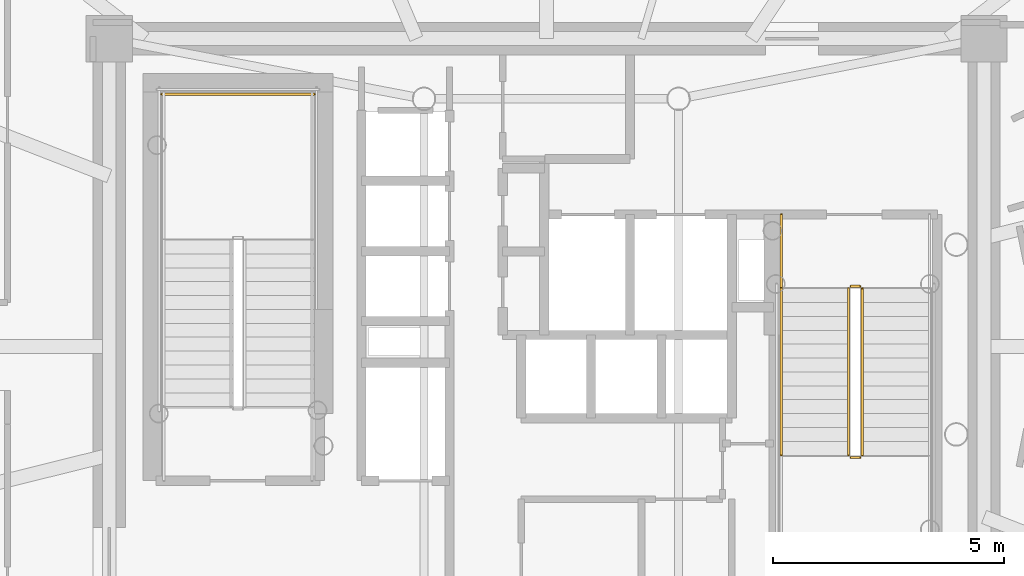
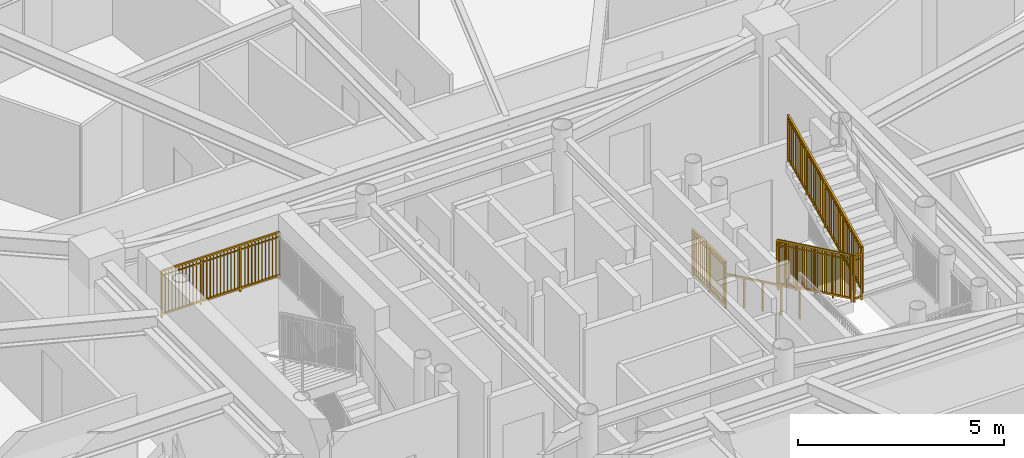
# One storey, part 17 of 19: 7 railings.
"""IFC4 building model written with IfcOpenShell, lengths in metres."""

import ifcopenshell
import ifcopenshell.guid

model = None  # the IFC model being written
_history = None  # IfcOwnerHistory: only IFC2X3 demands one
_inside = {}  # id of a spatial element -> (the spatial element, [elements in it])
_under = {}  # id of a project, library or spatial element -> (it, [spatial elements below it])
_declared = {}  # id of a project -> (the project, [libraries it declares])
_typed = {}  # id of a type object -> (the type object, [elements of that type])
_made_of = {}  # id of a material, layer set ... -> (it, [elements and type objects made of it])


def new_model(schema):
    """Start an empty IFC model of exactly this schema.

    Asked for "IFC4X3", IfcOpenShell would pick the latest addendum, in which some entities
    have other attributes; the version numbers below select the first issue.
    IFC2X3 requires an IfcOwnerHistory on every rooted entity: one is made here for all.
    """
    global model, _history
    if schema == "IFC4X3":
        model = ifcopenshell.file(schema_version=(4, 3, 0, 0))
    else:
        model = ifcopenshell.file(schema=schema)
    _inside.clear()
    _under.clear()
    _declared.clear()
    _typed.clear()
    _made_of.clear()
    _history = None
    if model.schema == "IFC2X3":
        org = make("IfcOrganization", Name="unknown")
        user = make(
            "IfcPersonAndOrganization",
            ThePerson=make("IfcPerson", FamilyName="unknown"),
            TheOrganization=org,
        )
        app = make(
            "IfcApplication",
            ApplicationDeveloper=org,
            Version="unknown",
            ApplicationFullName="unknown",
            ApplicationIdentifier="unknown",
        )
        _history = make(
            "IfcOwnerHistory",
            OwningUser=user,
            OwningApplication=app,
            ChangeAction="ADDED",
            CreationDate=0,
        )
    return model


def make(cls, **values):
    """One entity of the class cls with the attributes given. An attribute that is None is left unset."""
    return model.create_entity(
        cls, **{name: value for name, value in values.items() if value is not None}
    )


def rooted(cls, **values):
    """An entity with a GlobalId (a new one), such as an element, a storey or a relation."""
    return make(cls, GlobalId=ifcopenshell.guid.new(), OwnerHistory=_history, **values)


def si_unit(unit_type, name, prefix=None):
    """IfcSIUnit, for example si_unit("LENGTHUNIT", "METRE", prefix="MILLI")."""
    return make("IfcSIUnit", UnitType=unit_type, Prefix=prefix, Name=name)


def assignment(units):
    """IfcUnitAssignment: the units of a project."""
    return None if units is None else make("IfcUnitAssignment", Units=units)


def point(xyz):
    """IfcCartesianPoint."""
    return None if xyz is None else make("IfcCartesianPoint", Coordinates=xyz)


def direction(xyz):
    """IfcDirection."""
    return None if xyz is None else make("IfcDirection", DirectionRatios=xyz)


def frame(location, z_axis=None, x_axis=None):
    """IfcAxis2Placement3D, a coordinate frame: its origin and axes. An axis left out is left unset."""
    return make(
        "IfcAxis2Placement3D",
        Location=point(location),
        Axis=direction(z_axis),
        RefDirection=direction(x_axis),
    )


def frame_2d(location, x_axis=None):
    """IfcAxis2Placement2D, a coordinate frame in the plane: its origin and x axis."""
    return make(
        "IfcAxis2Placement2D", Location=point(location), RefDirection=direction(x_axis)
    )


def origin():
    """The frame at (0, 0, 0) with its axes left unset."""
    return frame((0.0, 0.0, 0.0))


def origin_2d():
    """The frame at (0, 0) in the plane with its x axis left unset."""
    return frame_2d((0.0, 0.0))


def place(relative_to, where):
    """IfcLocalPlacement: puts the frame where relative to a parent placement (None: the world)."""
    return make(
        "IfcLocalPlacement", PlacementRelTo=relative_to, RelativePlacement=where
    )


def context(
    kind, dimensions, precision=None, world=None, true_north=None, identifier=None
):
    """IfcGeometricRepresentationContext, for example the 3D "Model" context."""
    return make(
        "IfcGeometricRepresentationContext",
        ContextIdentifier=identifier,
        ContextType=kind,
        CoordinateSpaceDimension=dimensions,
        Precision=precision,
        WorldCoordinateSystem=world,
        TrueNorth=true_north,
    )


def subcontext(parent, identifier, kind, view, scale=None):
    """IfcGeometricRepresentationSubContext, for example "Body" below "Model"."""
    return make(
        "IfcGeometricRepresentationSubContext",
        ContextIdentifier=identifier,
        ContextType=kind,
        ParentContext=parent,
        TargetScale=scale,
        TargetView=view,
    )


def project(units=None, contexts=None):
    """IfcProject with its units and contexts."""
    return rooted(
        "IfcProject",
        Name="project",
        RepresentationContexts=contexts,
        UnitsInContext=assignment(units),
    )


def spatial(cls, under=None, at=None, **own):
    """A site, building, storey or space (cls), placed at a placement, below another one or the project."""
    s = rooted(cls, ObjectPlacement=at, **own)
    if under is not None:
        _under.setdefault(under.id(), (under, []))[1].append(s)
    return s


def profile(cls, at=None, kind="AREA", **sizes):
    """A parametric profile (cls). Its sizes go by their IFC names, for example OverallWidth=200.0."""
    return make(cls, ProfileType=kind, Position=at, **sizes)


def rectangle(**sizes):
    """IfcRectangleProfileDef."""
    return profile("IfcRectangleProfileDef", **sizes)


def extrude(swept, where, along, depth):
    """IfcExtrudedAreaSolid: the profile swept, set in the frame where, extruded along a direction by depth."""
    return make(
        "IfcExtrudedAreaSolid",
        SweptArea=swept,
        Position=where,
        ExtrudedDirection=direction(along),
        Depth=depth,
    )


def shape(context_of_items, identifier, shape_type, items):
    """IfcShapeRepresentation: the items that make up one representation, for example the "Body"."""
    return make(
        "IfcShapeRepresentation",
        ContextOfItems=context_of_items,
        RepresentationIdentifier=identifier,
        RepresentationType=shape_type,
        Items=items,
    )


def source(mapping_origin, context_of_items, identifier, shape_type, items):
    """IfcRepresentationMap: a shape defined once, which mapped items show again and again."""
    return make(
        "IfcRepresentationMap",
        MappingOrigin=mapping_origin,
        MappedRepresentation=shape(context_of_items, identifier, shape_type, items),
    )


def transform(
    local_origin,
    x_axis=None,
    y_axis=None,
    z_axis=None,
    scale=None,
    scale2=None,
    scale3=None,
    uniform=True,
):
    """IfcCartesianTransformationOperator3D, or its non-uniform kind. x_axis, y_axis, z_axis: its Axis1, 2, 3."""
    if uniform:
        return make(
            "IfcCartesianTransformationOperator3D",
            Axis1=direction(x_axis),
            Axis2=direction(y_axis),
            LocalOrigin=point(local_origin),
            Scale=scale,
            Axis3=direction(z_axis),
        )
    return make(
        "IfcCartesianTransformationOperator3DnonUniform",
        Axis1=direction(x_axis),
        Axis2=direction(y_axis),
        LocalOrigin=point(local_origin),
        Scale=scale,
        Axis3=direction(z_axis),
        Scale2=scale2,
        Scale3=scale3,
    )


def mapped(mapping_source, mapping_target):
    """IfcMappedItem: shows the shape of a source again, moved by a transform."""
    return make(
        "IfcMappedItem", MappingSource=mapping_source, MappingTarget=mapping_target
    )


def material(Name=None, Category=None):
    """IfcMaterial."""
    return make("IfcMaterial", Name=Name, Category=Category)


def made_of(thing, what):
    """Note that an element or type object is made of a material, layer set ...; save() writes the relation."""
    if what is not None:
        _made_of.setdefault(what.id(), (what, []))[1].append(thing)
    return thing


def type_object(cls, material=None, **own):
    """A type object (cls), such as IfcWallType, which elements share."""
    return made_of(rooted(cls, **own), material)


def element(
    cls,
    number,
    at=None,
    inside=None,
    cuts=None,
    type_object=None,
    material=None,
    context=None,
    identifier="Body",
    shape_type=None,
    held_by="IfcProductDefinitionShape",
    body=None,
    shapes=None,
    **own,
):
    """One element of the class cls, such as IfcWall. Its Tag is "e" and its number.

    at: its placement. inside: the storey or other place that contains it. cuts: it is an
    opening in that element (IfcRelVoidsElement). A single representation is given by context,
    identifier, shape_type and body (its items); several are given by shapes. held_by: the class
    of the entity that holds the representations. save() writes the other relations.
    """
    e = rooted(cls, Tag="e%d" % number, ObjectPlacement=at, **own)
    if body is not None:
        shapes = [shape(context, identifier, shape_type, body)]
    if shapes is not None:
        e.Representation = make(held_by, Representations=shapes)
    if inside is not None:
        _inside.setdefault(inside.id(), (inside, []))[1].append(e)
    if cuts is not None:
        rooted(
            "IfcRelVoidsElement", RelatingBuildingElement=cuts, RelatedOpeningElement=e
        )
    if type_object is not None:
        _typed.setdefault(type_object.id(), (type_object, []))[1].append(e)
    return made_of(e, material)


def aggregate(whole, parts):
    """IfcRelAggregates: a whole, such as a stair, and the parts it consists of."""
    return rooted("IfcRelAggregates", RelatingObject=whole, RelatedObjects=parts)


def save(model, path):
    """Write the relations noted so far, then the file.

    IfcRelAggregates (storeys below a building ...), IfcRelContainedInSpatialStructure (elements
    in a storey), IfcRelDefinesByType, IfcRelAssociatesMaterial and IfcRelDeclares: one each for
    every whole, place, type object, material and project.
    """
    for whole, parts in _under.values():
        aggregate(whole, parts)
    for where, things in _inside.values():
        rooted(
            "IfcRelContainedInSpatialStructure",
            RelatedElements=things,
            RelatingStructure=where,
        )
    for kind, things in _typed.values():
        rooted("IfcRelDefinesByType", RelatedObjects=things, RelatingType=kind)
    for what, things in _made_of.values():
        rooted("IfcRelAssociatesMaterial", RelatedObjects=things, RelatingMaterial=what)
    for by, libraries in _declared.values():
        rooted("IfcRelDeclares", RelatingContext=by, RelatedDefinitions=libraries)
    model.write(path)


model = new_model("IFC4")

# Units and contexts
model_context = context("Model", 3, precision=1e-05, world=origin(), true_north=direction((0.0, 1.0)))
body_context = subcontext(model_context, "Body", "Model", "MODEL_VIEW")
ifc_project = project(units=[si_unit("LENGTHUNIT", "METRE"), si_unit("AREAUNIT", "SQUARE_METRE"), si_unit("VOLUMEUNIT", "CUBIC_METRE"), si_unit("PLANEANGLEUNIT", "RADIAN"), si_unit("MASSUNIT", "GRAM", prefix="KILO")], contexts=[model_context])

# Site, building, storey
site_placement = place(None, origin())
site = spatial("IfcSite", under=ifc_project, at=site_placement, CompositionType="ELEMENT")
building_placement = place(site_placement, origin())
building = spatial("IfcBuilding", under=site, at=building_placement, Name="Linh Dai School and Residence Tower", CompositionType="ELEMENT")
storey_placement = place(building_placement, frame((0.0, 0.0, 236.550048828125)))
storey = spatial("IfcBuildingStorey", under=building, at=storey_placement, Name="L58", CompositionType="ELEMENT", Elevation=236.550048828125)

# Railings
ifc_material_1 = material(Name="Structural Steel S355JR", Category="steel")
railing_type_1 = type_object("IfcRailingType", Name="RL-ST-GUARD-1400", PredefinedType="GUARDRAIL", material=ifc_material_1)
shared_shape_1 = source(origin(), body_context, "Body", "SweptSolid", [
    extrude(rectangle(XDim=0.048095703125, YDim=0.048095703125, at=origin_2d()), frame((0.0, 0.0, 1.3759765625), z_axis=(-1.0, 0.0, 0.0), x_axis=(0.0, -1.0, 0.0)), (0.0, 0.0, 1.0), 3.300048828125),
    extrude(rectangle(XDim=0.048095703125, YDim=0.048095703125, at=origin_2d()), frame((0.0, 0.0, 0.10009765625), z_axis=(-1.0, 0.0, 0.0), x_axis=(0.0, -1.0, 0.0)), (0.0, 0.0, 1.0), 3.300048828125),
    extrude(rectangle(XDim=0.030029296875, YDim=0.030029296875, at=origin_2d()), frame((0.0, 0.0, 1.239990234375), z_axis=(-1.0, 0.0, 0.0), x_axis=(0.0, -1.0, 0.0)), (0.0, 0.0, 1.0), 3.300048828125),
    extrude(rectangle(XDim=0.02001953125, YDim=0.02001953125, at=origin_2d()), frame((-0.09716796875, 0.0, 0.10009765625)), (0.0, 0.0, 1.0), 1.251708984375),
    extrude(rectangle(XDim=0.02001953125, YDim=0.02001953125, at=origin_2d()), frame((-0.194091796875, 0.0, 0.10009765625)), (0.0, 0.0, 1.0), 1.251708984375),
    extrude(rectangle(XDim=0.02001953125, YDim=0.02001953125, at=origin_2d()), frame((-0.291259765625, 0.0, 0.10009765625)), (0.0, 0.0, 1.0), 1.251708984375),
    extrude(rectangle(XDim=0.02001953125, YDim=0.02001953125, at=origin_2d()), frame((-0.38818359375, 0.0, 0.10009765625)), (0.0, 0.0, 1.0), 1.251708984375),
    extrude(rectangle(XDim=0.02001953125, YDim=0.02001953125, at=origin_2d()), frame((-0.4853515625, 0.0, 0.10009765625)), (0.0, 0.0, 1.0), 1.251708984375),
    extrude(rectangle(XDim=0.02001953125, YDim=0.02001953125, at=origin_2d()), frame((-0.582275390625, 0.0, 0.10009765625)), (0.0, 0.0, 1.0), 1.251708984375),
    extrude(rectangle(XDim=0.02001953125, YDim=0.02001953125, at=origin_2d()), frame((-0.679443359375, 0.0, 0.10009765625)), (0.0, 0.0, 1.0), 1.251708984375),
    extrude(rectangle(XDim=0.02001953125, YDim=0.02001953125, at=origin_2d()), frame((-0.7763671875, 0.0, 0.10009765625)), (0.0, 0.0, 1.0), 1.251708984375),
    extrude(rectangle(XDim=0.02001953125, YDim=0.02001953125, at=origin_2d()), frame((-0.87353515625, 0.0, 0.10009765625)), (0.0, 0.0, 1.0), 1.251708984375),
    extrude(rectangle(XDim=0.02001953125, YDim=0.02001953125, at=origin_2d()), frame((-0.970703125, 0.0, 0.10009765625)), (0.0, 0.0, 1.0), 1.251708984375),
    extrude(rectangle(XDim=0.02001953125, YDim=0.02001953125, at=origin_2d()), frame((-1.164794921875, 0.0, 0.10009765625)), (0.0, 0.0, 1.0), 1.251708984375),
    extrude(rectangle(XDim=0.02001953125, YDim=0.02001953125, at=origin_2d()), frame((-1.26171875, 0.0, 0.10009765625)), (0.0, 0.0, 1.0), 1.251708984375),
    extrude(rectangle(XDim=0.02001953125, YDim=0.02001953125, at=origin_2d()), frame((-1.35888671875, 0.0, 0.10009765625)), (0.0, 0.0, 1.0), 1.251708984375),
    extrude(rectangle(XDim=0.02001953125, YDim=0.02001953125, at=origin_2d()), frame((-1.455810546875, 0.0, 0.10009765625)), (0.0, 0.0, 1.0), 1.251708984375),
    extrude(rectangle(XDim=0.02001953125, YDim=0.02001953125, at=origin_2d()), frame((-1.552978515625, 0.0, 0.10009765625)), (0.0, 0.0, 1.0), 1.251708984375),
    extrude(rectangle(XDim=0.02001953125, YDim=0.02001953125, at=origin_2d()), frame((-1.64990234375, 0.0, 0.10009765625)), (0.0, 0.0, 1.0), 1.251708984375),
    extrude(rectangle(XDim=0.02001953125, YDim=0.02001953125, at=origin_2d()), frame((-1.7470703125, 0.0, 0.10009765625)), (0.0, 0.0, 1.0), 1.251708984375),
    extrude(rectangle(XDim=0.02001953125, YDim=0.02001953125, at=origin_2d()), frame((-1.84423828125, 0.0, 0.10009765625)), (0.0, 0.0, 1.0), 1.251708984375),
    extrude(rectangle(XDim=0.02001953125, YDim=0.02001953125, at=origin_2d()), frame((-1.941162109375, 0.0, 0.10009765625)), (0.0, 0.0, 1.0), 1.251708984375),
    extrude(rectangle(XDim=0.02001953125, YDim=0.02001953125, at=origin_2d()), frame((-2.038330078125, 0.0, 0.10009765625)), (0.0, 0.0, 1.0), 1.251708984375),
    extrude(rectangle(XDim=0.02001953125, YDim=0.02001953125, at=origin_2d()), frame((-2.13525390625, 0.0, 0.10009765625)), (0.0, 0.0, 1.0), 1.251708984375),
    extrude(rectangle(XDim=0.02001953125, YDim=0.02001953125, at=origin_2d()), frame((-2.329345703125, 0.0, 0.10009765625)), (0.0, 0.0, 1.0), 1.251708984375),
    extrude(rectangle(XDim=0.02001953125, YDim=0.02001953125, at=origin_2d()), frame((-2.426513671875, 0.0, 0.10009765625)), (0.0, 0.0, 1.0), 1.251708984375),
    extrude(rectangle(XDim=0.02001953125, YDim=0.02001953125, at=origin_2d()), frame((-2.523681640625, 0.0, 0.10009765625)), (0.0, 0.0, 1.0), 1.251708984375),
    extrude(rectangle(XDim=0.02001953125, YDim=0.02001953125, at=origin_2d()), frame((-2.62060546875, 0.0, 0.10009765625)), (0.0, 0.0, 1.0), 1.251708984375),
    extrude(rectangle(XDim=0.02001953125, YDim=0.02001953125, at=origin_2d()), frame((-2.7177734375, 0.0, 0.10009765625)), (0.0, 0.0, 1.0), 1.251708984375),
    extrude(rectangle(XDim=0.02001953125, YDim=0.02001953125, at=origin_2d()), frame((-2.814697265625, 0.0, 0.10009765625)), (0.0, 0.0, 1.0), 1.251708984375),
    extrude(rectangle(XDim=0.02001953125, YDim=0.02001953125, at=origin_2d()), frame((-2.911865234375, 0.0, 0.10009765625)), (0.0, 0.0, 1.0), 1.251708984375),
    extrude(rectangle(XDim=0.02001953125, YDim=0.02001953125, at=origin_2d()), frame((-3.0087890625, 0.0, 0.10009765625)), (0.0, 0.0, 1.0), 1.251708984375),
    extrude(rectangle(XDim=0.02001953125, YDim=0.02001953125, at=origin_2d()), frame((-3.10595703125, 0.0, 0.10009765625)), (0.0, 0.0, 1.0), 1.251708984375),
    extrude(rectangle(XDim=0.02001953125, YDim=0.02001953125, at=origin_2d()), frame((-3.202880859375, 0.0, 0.10009765625)), (0.0, 0.0, 1.0), 1.251708984375),
    extrude(rectangle(XDim=0.0419921875, YDim=0.0419921875, at=origin_2d()), origin(), (0.0, 0.0, 1.0), 1.3759765625),
    extrude(rectangle(XDim=0.0419921875, YDim=0.0419921875, at=origin_2d()), frame((-1.10009765625, 0.0, 0.0)), (0.0, 0.0, 1.0), 1.3759765625),
    extrude(rectangle(XDim=0.0419921875, YDim=0.0419921875, at=origin_2d()), frame((-2.199951171875, 0.0, 0.0)), (0.0, 0.0, 1.0), 1.3759765625),
    extrude(rectangle(XDim=0.0419921875, YDim=0.0419921875, at=origin_2d()), frame((-3.300048828125, 0.0, 0.0)), (0.0, 0.0, 1.0), 1.3759765625),
])
railing_1_placement = place(storey_placement, frame((30.97998046875, 32.449951171875, 1.875)))
element("IfcRailing", 1, at=railing_1_placement, inside=storey, type_object=railing_type_1, Name="L58 ST1 stair guard 5", PredefinedType="GUARDRAIL", context=body_context, shape_type="MappedRepresentation", body=[
    mapped(shared_shape_1, transform((0.0, 0.0, 0.0), x_axis=(1.0, 0.0, 0.0), y_axis=(0.0, 1.0, 0.0), z_axis=(0.0, 0.0, 1.0), scale=1.0)),
])
shared_shape_2 = source(origin(), body_context, "Body", "SweptSolid", [
    extrude(rectangle(XDim=0.048095703125, YDim=0.048095703125, at=origin_2d()), frame((0.0, 0.0, 1.3759765625), z_axis=(0.0, 0.901262522062, 0.433273431364), x_axis=(-1.0, 0.0, 0.0)), (0.0, 0.0, 1.0), 3.994384765625),
    extrude(rectangle(XDim=0.048095703125, YDim=0.048095703125, at=origin_2d()), frame((0.0, 0.0, 0.10009765625), z_axis=(0.0, 0.901262522062, 0.433273431364), x_axis=(-1.0, 0.0, 0.0)), (0.0, 0.0, 1.0), 3.994384765625),
    extrude(rectangle(XDim=0.030029296875, YDim=0.030029296875, at=origin_2d()), frame((0.0, 0.0, 1.239990234375), z_axis=(0.0, 0.901262522062, 0.433273431364), x_axis=(-1.0, 0.0, 0.0)), (0.0, 0.0, 1.0), 3.994384765625),
    extrude(rectangle(XDim=0.02001953125, YDim=0.02001953125, at=origin_2d()), frame((0.0, 0.087890625, 0.142333984375)), (0.0, 0.0, 1.0), 1.251708984375),
    extrude(rectangle(XDim=0.02001953125, YDim=0.02001953125, at=origin_2d()), frame((0.0, 0.175537109375, 0.1845703125)), (0.0, 0.0, 1.0), 1.251708984375),
    extrude(rectangle(XDim=0.02001953125, YDim=0.02001953125, at=origin_2d()), frame((0.0, 0.263427734375, 0.226806640625)), (0.0, 0.0, 1.0), 1.251708984375),
    extrude(rectangle(XDim=0.02001953125, YDim=0.02001953125, at=origin_2d()), frame((0.0, 0.351318359375, 0.26904296875)), (0.0, 0.0, 1.0), 1.251708984375),
    extrude(rectangle(XDim=0.02001953125, YDim=0.02001953125, at=origin_2d()), frame((0.0, 0.43896484375, 0.311279296875)), (0.0, 0.0, 1.0), 1.251708984375),
    extrude(rectangle(XDim=0.02001953125, YDim=0.02001953125, at=origin_2d()), frame((0.0, 0.52685546875, 0.353271484375)), (0.0, 0.0, 1.0), 1.251708984375),
    extrude(rectangle(XDim=0.02001953125, YDim=0.02001953125, at=origin_2d()), frame((0.0, 0.61474609375, 0.3955078125)), (0.0, 0.0, 1.0), 1.251708984375),
    extrude(rectangle(XDim=0.02001953125, YDim=0.02001953125, at=origin_2d()), frame((0.0, 0.702392578125, 0.437744140625)), (0.0, 0.0, 1.0), 1.251708984375),
    extrude(rectangle(XDim=0.02001953125, YDim=0.02001953125, at=origin_2d()), frame((0.0, 0.790283203125, 0.47998046875)), (0.0, 0.0, 1.0), 1.251708984375),
    extrude(rectangle(XDim=0.02001953125, YDim=0.02001953125, at=origin_2d()), frame((0.0, 0.9658203125, 0.564453125)), (0.0, 0.0, 1.0), 1.251708984375),
    extrude(rectangle(XDim=0.02001953125, YDim=0.02001953125, at=origin_2d()), frame((0.0, 1.0537109375, 0.606689453125)), (0.0, 0.0, 1.0), 1.251708984375),
    extrude(rectangle(XDim=0.02001953125, YDim=0.02001953125, at=origin_2d()), frame((0.0, 1.1416015625, 0.64892578125)), (0.0, 0.0, 1.0), 1.251708984375),
    extrude(rectangle(XDim=0.02001953125, YDim=0.02001953125, at=origin_2d()), frame((0.0, 1.229248046875, 0.691162109375)), (0.0, 0.0, 1.0), 1.251708984375),
    extrude(rectangle(XDim=0.02001953125, YDim=0.02001953125, at=origin_2d()), frame((0.0, 1.317138671875, 0.7333984375)), (0.0, 0.0, 1.0), 1.251708984375),
    extrude(rectangle(XDim=0.02001953125, YDim=0.02001953125, at=origin_2d()), frame((0.0, 1.405029296875, 0.775390625)), (0.0, 0.0, 1.0), 1.251708984375),
    extrude(rectangle(XDim=0.02001953125, YDim=0.02001953125, at=origin_2d()), frame((0.0, 1.49267578125, 0.817626953125)), (0.0, 0.0, 1.0), 1.251708984375),
    extrude(rectangle(XDim=0.02001953125, YDim=0.02001953125, at=origin_2d()), frame((0.0, 1.58056640625, 0.85986328125)), (0.0, 0.0, 1.0), 1.251708984375),
    extrude(rectangle(XDim=0.02001953125, YDim=0.02001953125, at=origin_2d()), frame((0.0, 1.66845703125, 0.902099609375)), (0.0, 0.0, 1.0), 1.251708984375),
    extrude(rectangle(XDim=0.02001953125, YDim=0.02001953125, at=origin_2d()), frame((0.0, 1.756103515625, 0.9443359375)), (0.0, 0.0, 1.0), 1.251708984375),
    extrude(rectangle(XDim=0.02001953125, YDim=0.02001953125, at=origin_2d()), frame((0.0, 1.843994140625, 0.986572265625)), (0.0, 0.0, 1.0), 1.251708984375),
    extrude(rectangle(XDim=0.02001953125, YDim=0.02001953125, at=origin_2d()), frame((0.0, 1.931640625, 1.02880859375)), (0.0, 0.0, 1.0), 1.251708984375),
    extrude(rectangle(XDim=0.02001953125, YDim=0.02001953125, at=origin_2d()), frame((0.0, 2.01953125, 1.071044921875)), (0.0, 0.0, 1.0), 1.251708984375),
    extrude(rectangle(XDim=0.02001953125, YDim=0.02001953125, at=origin_2d()), frame((0.0, 2.107421875, 1.11328125)), (0.0, 0.0, 1.0), 1.251708984375),
    extrude(rectangle(XDim=0.02001953125, YDim=0.02001953125, at=origin_2d()), frame((0.0, 2.195068359375, 1.155517578125)), (0.0, 0.0, 1.0), 1.251708984375),
    extrude(rectangle(XDim=0.02001953125, YDim=0.02001953125, at=origin_2d()), frame((0.0, 2.282958984375, 1.197509765625)), (0.0, 0.0, 1.0), 1.251708984375),
    extrude(rectangle(XDim=0.02001953125, YDim=0.02001953125, at=origin_2d()), frame((0.0, 2.370849609375, 1.23974609375)), (0.0, 0.0, 1.0), 1.251708984375),
    extrude(rectangle(XDim=0.02001953125, YDim=0.02001953125, at=origin_2d()), frame((0.0, 2.45849609375, 1.281982421875)), (0.0, 0.0, 1.0), 1.251708984375),
    extrude(rectangle(XDim=0.02001953125, YDim=0.02001953125, at=origin_2d()), frame((0.0, 2.54638671875, 1.32421875)), (0.0, 0.0, 1.0), 1.251708984375),
    extrude(rectangle(XDim=0.02001953125, YDim=0.02001953125, at=origin_2d()), frame((0.0, 2.63427734375, 1.366455078125)), (0.0, 0.0, 1.0), 1.251708984375),
    extrude(rectangle(XDim=0.02001953125, YDim=0.02001953125, at=origin_2d()), frame((0.0, 2.809814453125, 1.450927734375)), (0.0, 0.0, 1.0), 1.251708984375),
    extrude(rectangle(XDim=0.02001953125, YDim=0.02001953125, at=origin_2d()), frame((0.0, 2.897705078125, 1.4931640625)), (0.0, 0.0, 1.0), 1.251708984375),
    extrude(rectangle(XDim=0.02001953125, YDim=0.02001953125, at=origin_2d()), frame((0.0, 2.9853515625, 1.535400390625)), (0.0, 0.0, 1.0), 1.251708984375),
    extrude(rectangle(XDim=0.02001953125, YDim=0.02001953125, at=origin_2d()), frame((0.0, 3.0732421875, 1.57763671875)), (0.0, 0.0, 1.0), 1.251708984375),
    extrude(rectangle(XDim=0.02001953125, YDim=0.02001953125, at=origin_2d()), frame((0.0, 3.1611328125, 1.61962890625)), (0.0, 0.0, 1.0), 1.251708984375),
    extrude(rectangle(XDim=0.02001953125, YDim=0.02001953125, at=origin_2d()), frame((0.0, 3.248779296875, 1.661865234375)), (0.0, 0.0, 1.0), 1.251708984375),
    extrude(rectangle(XDim=0.02001953125, YDim=0.02001953125, at=origin_2d()), frame((0.0, 3.336669921875, 1.7041015625)), (0.0, 0.0, 1.0), 1.251708984375),
    extrude(rectangle(XDim=0.02001953125, YDim=0.02001953125, at=origin_2d()), frame((0.0, 3.424560546875, 1.746337890625)), (0.0, 0.0, 1.0), 1.251708984375),
    extrude(rectangle(XDim=0.02001953125, YDim=0.02001953125, at=origin_2d()), frame((0.0, 3.51220703125, 1.78857421875)), (0.0, 0.0, 1.0), 1.251708984375),
    extrude(rectangle(XDim=0.0419921875, YDim=0.0419921875, at=origin_2d()), origin(), (0.0, 0.0, 1.0), 1.3759765625),
    extrude(rectangle(XDim=0.0419921875, YDim=0.0419921875, at=origin_2d()), frame((0.0, 0.89990234375, 0.4326171875)), (0.0, 0.0, 1.0), 1.3759765625),
    extrude(rectangle(XDim=0.0419921875, YDim=0.0419921875, at=origin_2d()), frame((0.0, 1.800048828125, 0.865234375)), (0.0, 0.0, 1.0), 1.3759765625),
    extrude(rectangle(XDim=0.0419921875, YDim=0.0419921875, at=origin_2d()), frame((0.0, 2.7001953125, 1.298095703125)), (0.0, 0.0, 1.0), 1.3759765625),
    extrude(rectangle(XDim=0.0419921875, YDim=0.0419921875, at=origin_2d()), frame((0.0, 3.60009765625, 1.730712890625)), (0.0, 0.0, 1.0), 1.3759765625),
])
railing_2_placement = place(storey_placement, frame((42.820068359375, 24.64990234375, 2.019287109375)))
element("IfcRailing", 2, at=railing_2_placement, inside=storey, type_object=railing_type_1, Name="L58 ST2 stair guard 6", PredefinedType="GUARDRAIL", context=body_context, shape_type="MappedRepresentation", body=[
    mapped(shared_shape_2, transform((0.0, 0.0, 0.0), x_axis=(1.0, 0.0, 0.0), y_axis=(0.0, 1.0, 0.0), z_axis=(0.0, 0.0, 1.0), scale=1.0)),
])
shared_shape_3 = source(origin(), body_context, "Body", "SweptSolid", [
    extrude(rectangle(XDim=0.048095703125, YDim=0.048095703125, at=origin_2d()), frame((0.0, 0.0, 1.3759765625), z_axis=(0.0, -0.901262522062, 0.433273431364), x_axis=(1.0, 0.0, 0.0)), (0.0, 0.0, 1.0), 3.994384765625),
    extrude(rectangle(XDim=0.048095703125, YDim=0.048095703125, at=origin_2d()), frame((0.0, 0.0, 0.10009765625), z_axis=(0.0, -0.901262522062, 0.433273431364), x_axis=(1.0, 0.0, 0.0)), (0.0, 0.0, 1.0), 3.994384765625),
    extrude(rectangle(XDim=0.030029296875, YDim=0.030029296875, at=origin_2d()), frame((0.0, 0.0, 1.239990234375), z_axis=(0.0, -0.901262522062, 0.433273431364), x_axis=(1.0, 0.0, 0.0)), (0.0, 0.0, 1.0), 3.994384765625),
    extrude(rectangle(XDim=0.02001953125, YDim=0.02001953125, at=origin_2d()), frame((0.0, -0.087890625, 0.142333984375)), (0.0, 0.0, 1.0), 1.251708984375),
    extrude(rectangle(XDim=0.02001953125, YDim=0.02001953125, at=origin_2d()), frame((0.0, -0.175537109375, 0.1845703125)), (0.0, 0.0, 1.0), 1.251708984375),
    extrude(rectangle(XDim=0.02001953125, YDim=0.02001953125, at=origin_2d()), frame((0.0, -0.263427734375, 0.226806640625)), (0.0, 0.0, 1.0), 1.251708984375),
    extrude(rectangle(XDim=0.02001953125, YDim=0.02001953125, at=origin_2d()), frame((0.0, -0.351318359375, 0.26904296875)), (0.0, 0.0, 1.0), 1.251708984375),
    extrude(rectangle(XDim=0.02001953125, YDim=0.02001953125, at=origin_2d()), frame((0.0, -0.43896484375, 0.311279296875)), (0.0, 0.0, 1.0), 1.251708984375),
    extrude(rectangle(XDim=0.02001953125, YDim=0.02001953125, at=origin_2d()), frame((0.0, -0.52685546875, 0.353271484375)), (0.0, 0.0, 1.0), 1.251708984375),
    extrude(rectangle(XDim=0.02001953125, YDim=0.02001953125, at=origin_2d()), frame((0.0, -0.61474609375, 0.3955078125)), (0.0, 0.0, 1.0), 1.251708984375),
    extrude(rectangle(XDim=0.02001953125, YDim=0.02001953125, at=origin_2d()), frame((0.0, -0.702392578125, 0.437744140625)), (0.0, 0.0, 1.0), 1.251708984375),
    extrude(rectangle(XDim=0.02001953125, YDim=0.02001953125, at=origin_2d()), frame((0.0, -0.790283203125, 0.47998046875)), (0.0, 0.0, 1.0), 1.251708984375),
    extrude(rectangle(XDim=0.02001953125, YDim=0.02001953125, at=origin_2d()), frame((0.0, -0.9658203125, 0.564453125)), (0.0, 0.0, 1.0), 1.251708984375),
    extrude(rectangle(XDim=0.02001953125, YDim=0.02001953125, at=origin_2d()), frame((0.0, -1.0537109375, 0.606689453125)), (0.0, 0.0, 1.0), 1.251708984375),
    extrude(rectangle(XDim=0.02001953125, YDim=0.02001953125, at=origin_2d()), frame((0.0, -1.1416015625, 0.64892578125)), (0.0, 0.0, 1.0), 1.251708984375),
    extrude(rectangle(XDim=0.02001953125, YDim=0.02001953125, at=origin_2d()), frame((0.0, -1.229248046875, 0.691162109375)), (0.0, 0.0, 1.0), 1.251708984375),
    extrude(rectangle(XDim=0.02001953125, YDim=0.02001953125, at=origin_2d()), frame((0.0, -1.317138671875, 0.7333984375)), (0.0, 0.0, 1.0), 1.251708984375),
    extrude(rectangle(XDim=0.02001953125, YDim=0.02001953125, at=origin_2d()), frame((0.0, -1.405029296875, 0.775390625)), (0.0, 0.0, 1.0), 1.251708984375),
    extrude(rectangle(XDim=0.02001953125, YDim=0.02001953125, at=origin_2d()), frame((0.0, -1.49267578125, 0.817626953125)), (0.0, 0.0, 1.0), 1.251708984375),
    extrude(rectangle(XDim=0.02001953125, YDim=0.02001953125, at=origin_2d()), frame((0.0, -1.58056640625, 0.85986328125)), (0.0, 0.0, 1.0), 1.251708984375),
    extrude(rectangle(XDim=0.02001953125, YDim=0.02001953125, at=origin_2d()), frame((0.0, -1.66845703125, 0.902099609375)), (0.0, 0.0, 1.0), 1.251708984375),
    extrude(rectangle(XDim=0.02001953125, YDim=0.02001953125, at=origin_2d()), frame((0.0, -1.756103515625, 0.9443359375)), (0.0, 0.0, 1.0), 1.251708984375),
    extrude(rectangle(XDim=0.02001953125, YDim=0.02001953125, at=origin_2d()), frame((0.0, -1.843994140625, 0.986572265625)), (0.0, 0.0, 1.0), 1.251708984375),
    extrude(rectangle(XDim=0.02001953125, YDim=0.02001953125, at=origin_2d()), frame((0.0, -1.931640625, 1.02880859375)), (0.0, 0.0, 1.0), 1.251708984375),
    extrude(rectangle(XDim=0.02001953125, YDim=0.02001953125, at=origin_2d()), frame((0.0, -2.01953125, 1.071044921875)), (0.0, 0.0, 1.0), 1.251708984375),
    extrude(rectangle(XDim=0.02001953125, YDim=0.02001953125, at=origin_2d()), frame((0.0, -2.107421875, 1.11328125)), (0.0, 0.0, 1.0), 1.251708984375),
    extrude(rectangle(XDim=0.02001953125, YDim=0.02001953125, at=origin_2d()), frame((0.0, -2.195068359375, 1.155517578125)), (0.0, 0.0, 1.0), 1.251708984375),
    extrude(rectangle(XDim=0.02001953125, YDim=0.02001953125, at=origin_2d()), frame((0.0, -2.282958984375, 1.197509765625)), (0.0, 0.0, 1.0), 1.251708984375),
    extrude(rectangle(XDim=0.02001953125, YDim=0.02001953125, at=origin_2d()), frame((0.0, -2.370849609375, 1.23974609375)), (0.0, 0.0, 1.0), 1.251708984375),
    extrude(rectangle(XDim=0.02001953125, YDim=0.02001953125, at=origin_2d()), frame((0.0, -2.45849609375, 1.281982421875)), (0.0, 0.0, 1.0), 1.251708984375),
    extrude(rectangle(XDim=0.02001953125, YDim=0.02001953125, at=origin_2d()), frame((0.0, -2.54638671875, 1.32421875)), (0.0, 0.0, 1.0), 1.251708984375),
    extrude(rectangle(XDim=0.02001953125, YDim=0.02001953125, at=origin_2d()), frame((0.0, -2.63427734375, 1.366455078125)), (0.0, 0.0, 1.0), 1.251708984375),
    extrude(rectangle(XDim=0.02001953125, YDim=0.02001953125, at=origin_2d()), frame((0.0, -2.809814453125, 1.450927734375)), (0.0, 0.0, 1.0), 1.251708984375),
    extrude(rectangle(XDim=0.02001953125, YDim=0.02001953125, at=origin_2d()), frame((0.0, -2.897705078125, 1.4931640625)), (0.0, 0.0, 1.0), 1.251708984375),
    extrude(rectangle(XDim=0.02001953125, YDim=0.02001953125, at=origin_2d()), frame((0.0, -2.9853515625, 1.535400390625)), (0.0, 0.0, 1.0), 1.251708984375),
    extrude(rectangle(XDim=0.02001953125, YDim=0.02001953125, at=origin_2d()), frame((0.0, -3.0732421875, 1.57763671875)), (0.0, 0.0, 1.0), 1.251708984375),
    extrude(rectangle(XDim=0.02001953125, YDim=0.02001953125, at=origin_2d()), frame((0.0, -3.1611328125, 1.61962890625)), (0.0, 0.0, 1.0), 1.251708984375),
    extrude(rectangle(XDim=0.02001953125, YDim=0.02001953125, at=origin_2d()), frame((0.0, -3.248779296875, 1.661865234375)), (0.0, 0.0, 1.0), 1.251708984375),
    extrude(rectangle(XDim=0.02001953125, YDim=0.02001953125, at=origin_2d()), frame((0.0, -3.336669921875, 1.7041015625)), (0.0, 0.0, 1.0), 1.251708984375),
    extrude(rectangle(XDim=0.02001953125, YDim=0.02001953125, at=origin_2d()), frame((0.0, -3.424560546875, 1.746337890625)), (0.0, 0.0, 1.0), 1.251708984375),
    extrude(rectangle(XDim=0.02001953125, YDim=0.02001953125, at=origin_2d()), frame((0.0, -3.51220703125, 1.78857421875)), (0.0, 0.0, 1.0), 1.251708984375),
    extrude(rectangle(XDim=0.0419921875, YDim=0.0419921875, at=origin_2d()), origin(), (0.0, 0.0, 1.0), 1.3759765625),
    extrude(rectangle(XDim=0.0419921875, YDim=0.0419921875, at=origin_2d()), frame((0.0, -0.89990234375, 0.4326171875)), (0.0, 0.0, 1.0), 1.3759765625),
    extrude(rectangle(XDim=0.0419921875, YDim=0.0419921875, at=origin_2d()), frame((0.0, -1.800048828125, 0.865234375)), (0.0, 0.0, 1.0), 1.3759765625),
    extrude(rectangle(XDim=0.0419921875, YDim=0.0419921875, at=origin_2d()), frame((0.0, -2.7001953125, 1.298095703125)), (0.0, 0.0, 1.0), 1.3759765625),
    extrude(rectangle(XDim=0.0419921875, YDim=0.0419921875, at=origin_2d()), frame((0.0, -3.60009765625, 1.730712890625)), (0.0, 0.0, 1.0), 1.3759765625),
])
railing_3_placement = place(storey_placement, frame((42.52001953125, 28.25, 0.144287109375)))
element("IfcRailing", 3, at=railing_3_placement, inside=storey, type_object=railing_type_1, Name="L58 ST2 stair guard 1", PredefinedType="GUARDRAIL", context=body_context, shape_type="MappedRepresentation", body=[
    mapped(shared_shape_3, transform((0.0, 0.0, 0.0), x_axis=(1.0, 0.0, 0.0), y_axis=(0.0, 1.0, 0.0), z_axis=(0.0, 0.0, 1.0), scale=1.0)),
])
ifc_material_2 = material(Name="Brushed Stainless Steel Handrail", Category="steel")
railing_type_2 = type_object("IfcRailingType", Name="RL-ST-HANDRAIL-900", PredefinedType="HANDRAIL", material=ifc_material_2)
shared_shape_4 = source(origin(), body_context, "Body", "SweptSolid", [
    extrude(rectangle(XDim=0.048095703125, YDim=0.048095703125, at=origin_2d()), frame((0.0, 0.0, 0.8759765625), z_axis=(0.0, -0.901262522062, 0.433273431364), x_axis=(1.0, 0.0, 0.0)), (0.0, 0.0, 1.0), 3.994384765625),
    extrude(rectangle(XDim=0.0419921875, YDim=0.0419921875, at=origin_2d()), origin(), (0.0, 0.0, 1.0), 0.8759765625),
    extrude(rectangle(XDim=0.0419921875, YDim=0.0419921875, at=origin_2d()), frame((0.0, -0.89990234375, 0.4326171875)), (0.0, 0.0, 1.0), 0.8759765625),
    extrude(rectangle(XDim=0.0419921875, YDim=0.0419921875, at=origin_2d()), frame((0.0, -1.800048828125, 0.865234375)), (0.0, 0.0, 1.0), 0.8759765625),
    extrude(rectangle(XDim=0.0419921875, YDim=0.0419921875, at=origin_2d()), frame((0.0, -2.7001953125, 1.298095703125)), (0.0, 0.0, 1.0), 0.8759765625),
    extrude(rectangle(XDim=0.0419921875, YDim=0.0419921875, at=origin_2d()), frame((0.0, -3.60009765625, 1.730712890625)), (0.0, 0.0, 1.0), 0.8759765625),
])
railing_4_placement = place(storey_placement, frame((41.070068359375, 28.25, 0.144287109375)))
element("IfcRailing", 4, at=railing_4_placement, inside=storey, type_object=railing_type_2, Name="L58 ST2 stair handrail 1", PredefinedType="HANDRAIL", context=body_context, shape_type="MappedRepresentation", body=[
    mapped(shared_shape_4, transform((0.0, 0.0, 0.0), x_axis=(1.0, 0.0, 0.0), y_axis=(0.0, 1.0, 0.0), z_axis=(0.0, 0.0, 1.0), scale=1.0)),
])
shared_shape_5 = source(origin(), body_context, "Body", "SweptSolid", [
    extrude(rectangle(XDim=0.048095703125, YDim=0.048095703125, at=origin_2d()), frame((0.0, 0.0, 1.3759765625), z_axis=(1.0, 0.0, 0.0), x_axis=(0.0, 1.0, 0.0)), (0.0, 0.0, 1.0), 0.199951171875),
    extrude(rectangle(XDim=0.048095703125, YDim=0.048095703125, at=origin_2d()), frame((0.0, 0.0, 0.10009765625), z_axis=(1.0, 0.0, 0.0), x_axis=(0.0, 1.0, 0.0)), (0.0, 0.0, 1.0), 0.199951171875),
    extrude(rectangle(XDim=0.030029296875, YDim=0.030029296875, at=origin_2d()), frame((0.0, 0.0, 1.239990234375), z_axis=(1.0, 0.0, 0.0), x_axis=(0.0, 1.0, 0.0)), (0.0, 0.0, 1.0), 0.199951171875),
    extrude(rectangle(XDim=0.0419921875, YDim=0.0419921875, at=origin_2d()), origin(), (0.0, 0.0, 1.0), 1.3759765625),
    extrude(rectangle(XDim=0.0419921875, YDim=0.0419921875, at=origin_2d()), frame((0.199951171875, 0.0, 0.0)), (0.0, 0.0, 1.0), 1.3759765625),
])
for number, where, name in (
    (5, (42.570068359375, 24.60009765625, 1.875), "L58 ST2 stair guard 2"),
    (6, (42.570068359375, 28.300048828125, 0.0), "L58 ST2 stair guard 7"),
):
    element("IfcRailing", number, at=place(storey_placement, frame(where)), inside=storey, type_object=railing_type_1, Name=name, PredefinedType="GUARDRAIL", context=body_context, shape_type="MappedRepresentation", body=[
        mapped(shared_shape_5, transform((0.0, 0.0, 0.0), x_axis=(1.0, 0.0, 0.0), y_axis=(0.0, 1.0, 0.0), z_axis=(0.0, 0.0, 1.0), scale=1.0)),
    ])
shared_shape_6 = source(origin(), body_context, "Body", "SweptSolid", [
    extrude(rectangle(XDim=0.048095703125, YDim=0.048095703125, at=origin_2d()), frame((0.0, 0.0, 1.3759765625), z_axis=(0.0, -1.0, 0.0), x_axis=(1.0, 0.0, 0.0)), (0.0, 0.0, 1.0), 1.60009765625),
    extrude(rectangle(XDim=0.048095703125, YDim=0.048095703125, at=origin_2d()), frame((0.0, 0.0, 0.10009765625), z_axis=(0.0, -1.0, 0.0), x_axis=(1.0, 0.0, 0.0)), (0.0, 0.0, 1.0), 1.60009765625),
    extrude(rectangle(XDim=0.030029296875, YDim=0.030029296875, at=origin_2d()), frame((0.0, 0.0, 1.239990234375), z_axis=(0.0, -1.0, 0.0), x_axis=(1.0, 0.0, 0.0)), (0.0, 0.0, 1.0), 1.60009765625),
    extrude(rectangle(XDim=0.02001953125, YDim=0.02001953125, at=origin_2d()), frame((0.0, -0.09423828125, 0.10009765625)), (0.0, 0.0, 1.0), 1.251708984375),
    extrude(rectangle(XDim=0.02001953125, YDim=0.02001953125, at=origin_2d()), frame((0.0, -0.188232421875, 0.10009765625)), (0.0, 0.0, 1.0), 1.251708984375),
    extrude(rectangle(XDim=0.02001953125, YDim=0.02001953125, at=origin_2d()), frame((0.0, -0.282470703125, 0.10009765625)), (0.0, 0.0, 1.0), 1.251708984375),
    extrude(rectangle(XDim=0.02001953125, YDim=0.02001953125, at=origin_2d()), frame((0.0, -0.37646484375, 0.10009765625)), (0.0, 0.0, 1.0), 1.251708984375),
    extrude(rectangle(XDim=0.02001953125, YDim=0.02001953125, at=origin_2d()), frame((0.0, -0.470703125, 0.10009765625)), (0.0, 0.0, 1.0), 1.251708984375),
    extrude(rectangle(XDim=0.02001953125, YDim=0.02001953125, at=origin_2d()), frame((0.0, -0.564697265625, 0.10009765625)), (0.0, 0.0, 1.0), 1.251708984375),
    extrude(rectangle(XDim=0.02001953125, YDim=0.02001953125, at=origin_2d()), frame((0.0, -0.658935546875, 0.10009765625)), (0.0, 0.0, 1.0), 1.251708984375),
    extrude(rectangle(XDim=0.02001953125, YDim=0.02001953125, at=origin_2d()), frame((0.0, -0.7529296875, 0.10009765625)), (0.0, 0.0, 1.0), 1.251708984375),
    extrude(rectangle(XDim=0.02001953125, YDim=0.02001953125, at=origin_2d()), frame((0.0, -0.84716796875, 0.10009765625)), (0.0, 0.0, 1.0), 1.251708984375),
    extrude(rectangle(XDim=0.02001953125, YDim=0.02001953125, at=origin_2d()), frame((0.0, -0.941162109375, 0.10009765625)), (0.0, 0.0, 1.0), 1.251708984375),
    extrude(rectangle(XDim=0.02001953125, YDim=0.02001953125, at=origin_2d()), frame((0.0, -1.035400390625, 0.10009765625)), (0.0, 0.0, 1.0), 1.251708984375),
    extrude(rectangle(XDim=0.02001953125, YDim=0.02001953125, at=origin_2d()), frame((0.0, -1.12939453125, 0.10009765625)), (0.0, 0.0, 1.0), 1.251708984375),
    extrude(rectangle(XDim=0.02001953125, YDim=0.02001953125, at=origin_2d()), frame((0.0, -1.2236328125, 0.10009765625)), (0.0, 0.0, 1.0), 1.251708984375),
    extrude(rectangle(XDim=0.02001953125, YDim=0.02001953125, at=origin_2d()), frame((0.0, -1.317626953125, 0.10009765625)), (0.0, 0.0, 1.0), 1.251708984375),
    extrude(rectangle(XDim=0.02001953125, YDim=0.02001953125, at=origin_2d()), frame((0.0, -1.411865234375, 0.10009765625)), (0.0, 0.0, 1.0), 1.251708984375),
    extrude(rectangle(XDim=0.02001953125, YDim=0.02001953125, at=origin_2d()), frame((0.0, -1.505859375, 0.10009765625)), (0.0, 0.0, 1.0), 1.251708984375),
    extrude(rectangle(XDim=0.0419921875, YDim=0.0419921875, at=origin_2d()), origin(), (0.0, 0.0, 1.0), 1.3759765625),
    extrude(rectangle(XDim=0.0419921875, YDim=0.0419921875, at=origin_2d()), frame((0.0, -0.800048828125, 0.0)), (0.0, 0.0, 1.0), 1.3759765625),
    extrude(rectangle(XDim=0.0419921875, YDim=0.0419921875, at=origin_2d()), frame((0.0, -1.60009765625, 0.0)), (0.0, 0.0, 1.0), 1.3759765625),
])
railing_5_placement = place(storey_placement, frame((41.070068359375, 29.85009765625, 0.0)))
element("IfcRailing", 7, at=railing_5_placement, inside=storey, type_object=railing_type_1, Name="L58 ST2 stair guard 8", PredefinedType="GUARDRAIL", context=body_context, shape_type="MappedRepresentation", body=[
    mapped(shared_shape_6, transform((0.0, 0.0, 0.0), x_axis=(1.0, 0.0, 0.0), y_axis=(0.0, 1.0, 0.0), z_axis=(0.0, 0.0, 1.0), scale=1.0)),
])

save(model, "model.ifc")
